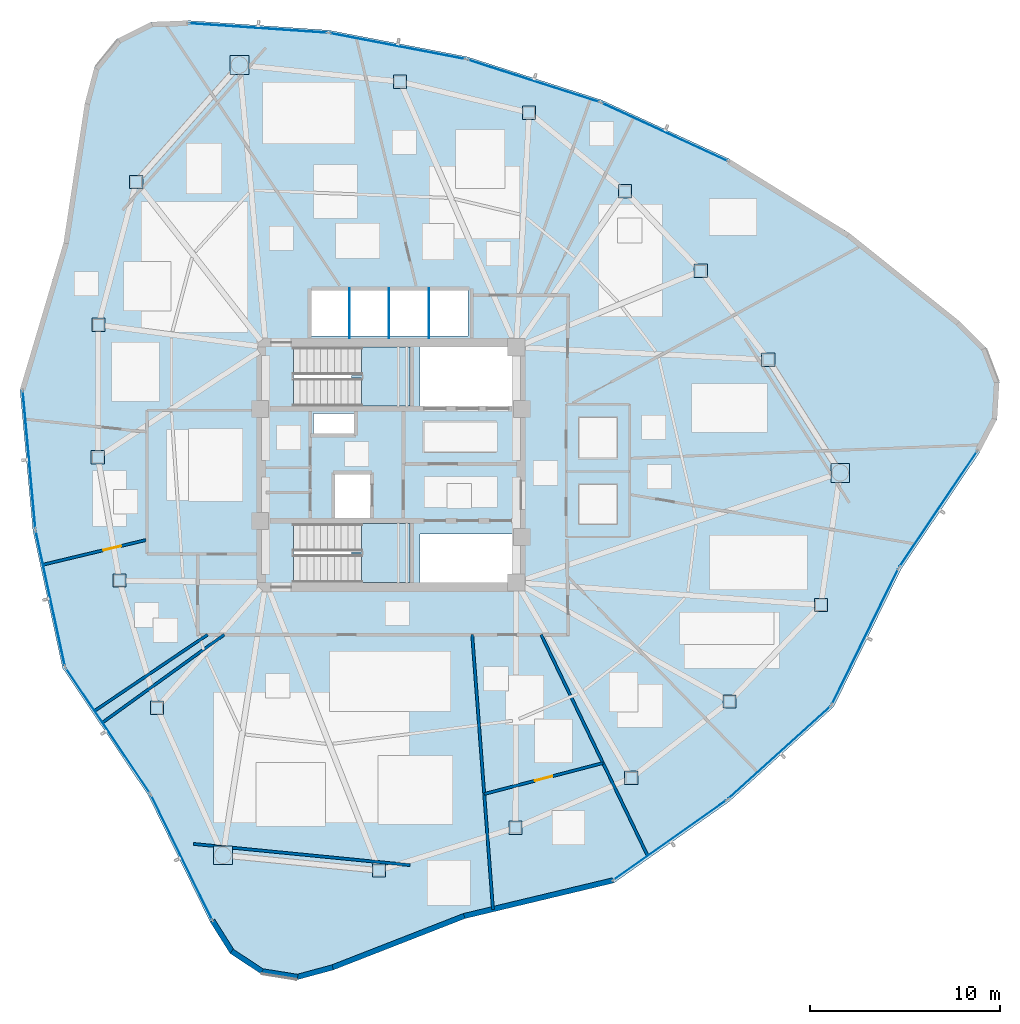
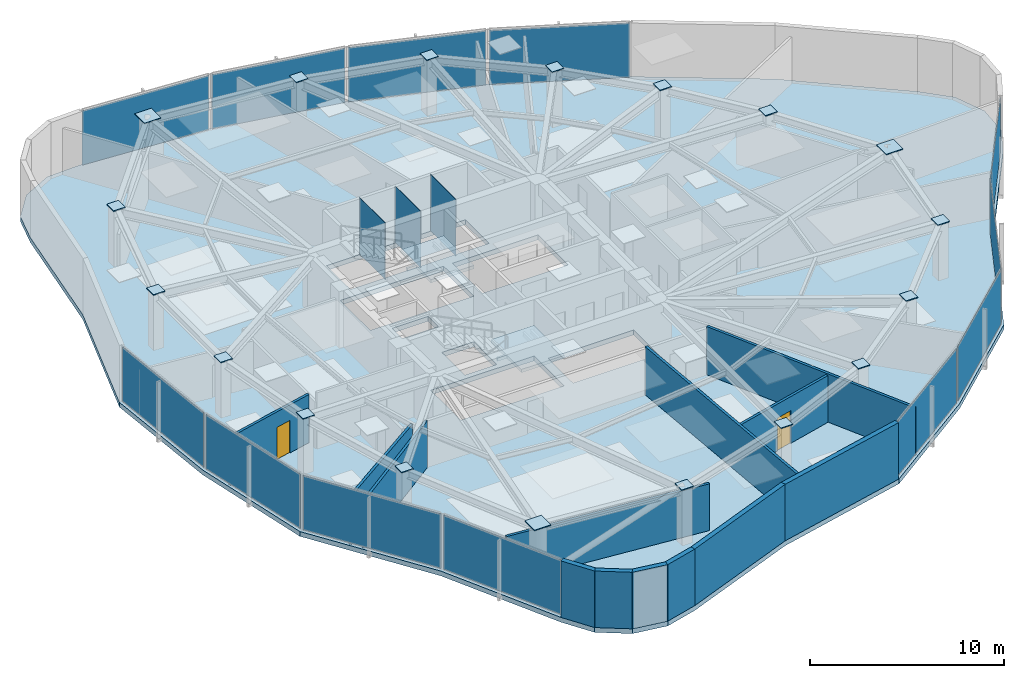
# One storey, part 10 of 17: 33 plates, 13 walls, 3 slabs, 2 doors, 2 openings, 14 elements without a shape of their own.
"""IFC4 building model written with IfcOpenShell, lengths in metres."""

from ifc_helpers import new_model, si_unit, direction, frame, frame_2d, origin, origin_2d, place, context, subcontext, project, spatial, polyline, rectangle, outline, extrude, source, transform, mapped, material, layer, layer_set, type_object, type_shapes, element, fill, aggregate, save


model = new_model("IFC4")

# Units and contexts
model_context = context("Model", 3, precision=1e-05, world=origin(), true_north=direction((0.0, 1.0)))
body_context = subcontext(model_context, "Body", "Model", "MODEL_VIEW")
ifc_project = project(units=[si_unit("LENGTHUNIT", "METRE"), si_unit("AREAUNIT", "SQUARE_METRE"), si_unit("VOLUMEUNIT", "CUBIC_METRE"), si_unit("PLANEANGLEUNIT", "RADIAN"), si_unit("MASSUNIT", "GRAM", prefix="KILO")], contexts=[model_context])

# Site, building, storey
site_placement = place(None, origin())
site = spatial("IfcSite", under=ifc_project, at=site_placement, CompositionType="ELEMENT")
building_placement = place(site_placement, origin())
building = spatial("IfcBuilding", under=site, at=building_placement, Name="Tavelor Broadcast Tower", CompositionType="ELEMENT")
storey_placement = place(building_placement, frame((0.0, 0.0, 196.449951171875)))
storey = spatial("IfcBuildingStorey", under=building, at=storey_placement, Name="L47", CompositionType="ELEMENT", Elevation=196.449951171875)

# Stair, slab
ifc_material_1 = material(Name="Concrete C40/50", Category="concrete")
stair_type = type_object("IfcStairType", Name="Reinforced Concrete Protected Dogleg Stair 1450 mm", PredefinedType="HALF_TURN_STAIR", material=ifc_material_1)
stair_1_placement = place(storey_placement, origin())
stair_1 = element("IfcStair", 1, at=stair_1_placement, inside=storey, type_object=stair_type, Name="L47 Protected Core Exit Stair ST1", PredefinedType="HALF_TURN_STAIR")
ifc_layer_1 = layer(ifc_material_1, 0.199951171875)
ifc_layer_set_1 = layer_set([ifc_layer_1], Name="Concrete C40/50")
slab_type_1 = type_object("IfcSlabType", Name="Reinforced Concrete Stair Half-Landing Slab 200 mm", PredefinedType="LANDING", material=ifc_layer_set_1)
slab_1_placement = place(storey_placement, frame((0.0, 0.0, 1.72509765625)))
slab_1 = element("IfcSlab", 2, at=slab_1_placement, type_object=slab_type_1, Name="ST1 landing 1", PredefinedType="LANDING", context=body_context, shape_type="SweptSolid", body=[
    extrude(outline(polyline([(48.445068359375, 49.590087890625), (48.445068359375, 48.094970703125), (51.0048828125, 48.094970703125), (51.0048828125, 51.205078125), (48.445068359375, 51.205078125), (48.445068359375, 49.7099609375), (47.905029296875, 49.7099609375), (47.905029296875, 49.590087890625), (48.445068359375, 49.590087890625)])), origin(), (0.0, 0.0, 1.0), 0.199951171875),
])
aggregate(stair_1, [slab_1])

stair_2_placement = place(storey_placement, origin())
stair_2 = element("IfcStair", 3, at=stair_2_placement, inside=storey, type_object=stair_type, Name="L47 Protected Core Exit Stair ST2", PredefinedType="HALF_TURN_STAIR")
slab_2_placement = place(storey_placement, frame((0.0, 0.0, 1.72509765625)))
slab_2 = element("IfcSlab", 4, at=slab_2_placement, type_object=slab_type_1, Name="ST2 landing 1", PredefinedType="LANDING", context=body_context, shape_type="SweptSolid", body=[
    extrude(outline(polyline([(48.445068359375, 40.2900390625), (48.445068359375, 38.794921875), (51.0048828125, 38.794921875), (51.0048828125, 41.905029296875), (48.445068359375, 41.905029296875), (48.445068359375, 40.409912109375), (47.905029296875, 40.409912109375), (47.905029296875, 40.2900390625), (48.445068359375, 40.2900390625)])), origin(), (0.0, 0.0, 1.0), 0.199951171875),
])
aggregate(stair_2, [slab_2])

# Slab
ifc_layer_2 = layer(ifc_material_1, 0.300048828125)
ifc_layer_set_2 = layer_set([ifc_layer_2], Name="Concrete C40/50")
slab_type_2 = type_object("IfcSlabType", Name="Tower Composite Floor Slab 300 mm", PredefinedType="FLOOR", material=ifc_layer_set_2)
slab_3_placement = place(storey_placement, frame((0.0, 0.0, -0.300048828125)))
element("IfcSlab", 5, at=slab_3_placement, inside=storey, type_object=slab_type_2, Name="L47 Structural Floor Slab", PredefinedType="FLOOR", context=body_context, shape_type="SweptSolid", body=[
    extrude(outline(polyline([(39.296630859375, 68.421875), (37.344482421875, 68.34521484375), (35.5966796875, 67.4716796875), (34.36328125, 65.956787109375), (33.862548828125, 64.068115234375), (32.740478515625, 56.716552734375), (30.44091796875, 48.965576171875), (31.117919921875, 41.559814453125), (32.686279296875, 34.290283203125), (37.198974609375, 27.581787109375), (40.4677734375, 20.902099609375), (41.51025390625, 19.249755859375), (43.140380859375, 18.1728515625), (45.0693359375, 17.862060546875), (46.955322265625, 18.372802734375), (53.8828125, 21.076904296875), (61.745361328125, 22.960693359375), (67.8203125, 27.25), (73.33154296875, 32.2431640625), (76.88525390625, 39.50537109375), (81.035400390625, 45.676025390625), (81.9453125, 47.4052734375), (82.062744140625, 49.35546875), (81.367431640625, 51.18115234375), (79.982421875, 52.55908203125), (74.176513671875, 57.20654296875), (67.85107421875, 61.1171875), (61.098876953125, 64.2333984375), (54.01904296875, 66.510009765625), (46.716064453125, 67.912841796875), (39.296630859375, 68.421875)]), holes=[polyline([(56.60009765625, 41.35009765625), (56.60009765625, 38.800048828125), (51.52001953125, 38.800048828125), (51.52001953125, 41.35009765625), (56.60009765625, 41.35009765625)]), polyline([(50.99609375, 38.803955078125), (44.85400390625, 38.803955078125), (44.85400390625, 41.89599609375), (50.99609375, 41.89599609375), (50.99609375, 38.803955078125)]), polyline([(47.050048828125, 42.199951171875), (47.050048828125, 44.550048828125), (48.949951171875, 44.550048828125), (48.949951171875, 42.199951171875), (47.050048828125, 42.199951171875)]), polyline([(48.050048828125, 46.64990234375), (45.89990234375, 46.64990234375), (45.89990234375, 47.699951171875), (48.050048828125, 47.699951171875), (48.050048828125, 46.64990234375)]), polyline([(50.99609375, 48.10400390625), (44.85400390625, 48.10400390625), (44.85400390625, 51.196044921875), (50.99609375, 51.196044921875), (50.99609375, 48.10400390625)]), polyline([(56.60009765625, 48.10009765625), (51.52001953125, 48.10009765625), (51.52001953125, 51.199951171875), (56.60009765625, 51.199951171875), (56.60009765625, 48.10009765625)]), polyline([(54.050048828125, 51.800048828125), (45.800048828125, 51.800048828125), (45.800048828125, 54.25), (54.050048828125, 54.25), (54.050048828125, 51.800048828125)])]), origin(), (0.0, 0.0, 1.0), 0.300048828125),
])

# Plates
ifc_material_2 = material(Name="Steel S460", Category="steel")
ifc_layer_3 = layer(ifc_material_2, 0.050048828125)
ifc_layer_set_3 = layer_set([ifc_layer_3], Name="Steel S460")
plate_type_1 = type_object("IfcPlateType", Name="Tube Hollow-End Cap Plate KN05 700x700x50", PredefinedType="USERDEFINED", material=ifc_layer_set_3)
shared_shape_1 = source(origin(), body_context, "Body", "SweptSolid", [
    extrude(rectangle(XDim=0.699951171875, YDim=0.699951171875, at=origin_2d()), origin(), (0.0, 0.0, 1.0), 0.054931640625),
])
for number, where, z_axis, x_axis, name in (
    (6, (36.567626953125, 59.91064453125, 3.5224609375), (0.0, 0.0, 1.0), (1.0, 0.0, 0.0), "L47 Hollow End Cap Plate KN05 #1342"),
    (7, (34.5751953125, 52.37939453125, 3.5224609375), (0.0, 0.0, 1.0), (1.0, 0.0, 0.0), "L47 Hollow End Cap Plate KN05 #1343"),
    (8, (34.54638671875, 45.399169921875, 3.5224609375), (0.0, 0.0, 1.0), (1.0, 0.0, 0.0), "L47 Hollow End Cap Plate KN05 #1344"),
    (9, (35.680908203125, 38.89990234375, 3.5224609375), (0.0, 0.0, 1.0), (1.0, 0.0, 0.0), "L47 Hollow End Cap Plate KN05 #1345"),
    (10, (37.668212890625, 32.1904296875, 3.5224609375), (0.0, 0.0, 1.0), (1.0, 0.0, 0.0), "L47 Hollow End Cap Plate KN05 #1346"),
    (11, (49.366455078125, 23.618896484375, 3.5224609375), (0.0, 0.0, 1.0), (1.0, 0.0, 0.0), "L47 Hollow End Cap Plate KN05 #1348"),
    (12, (56.56103515625, 25.872802734375, 3.5224609375), (0.0, 0.0, 1.0), (1.0, 0.0, 0.0), "L47 Hollow End Cap Plate KN05 #1349"),
    (13, (62.669189453125, 28.503173828125, 3.5224609375), (0.0, 0.0, 1.0), (1.0, 0.0, 0.0), "L47 Hollow End Cap Plate KN05 #1350"),
    (14, (67.84228515625, 32.53173828125, 3.5224609375), (0.0, 0.0, 1.0), (1.0, 0.0, 0.0), "L47 Hollow End Cap Plate KN05 #1351"),
    (15, (72.6591796875, 37.607421875, 3.5224609375), (0.0, 0.0, 1.0), (1.0, 0.0, 0.0), "L47 Hollow End Cap Plate KN05 #1352"),
    (16, (69.885986328125, 50.544189453125, 3.5224609375), (0.0, 0.0, 1.0), (1.0, 0.0, 0.0), "L47 Hollow End Cap Plate KN05 #1354"),
    (17, (66.322021484375, 55.228759765625, 3.5224609375), (0.0, 0.0, 1.0), (1.0, 0.0, 0.0), "L47 Hollow End Cap Plate KN05 #1355"),
    (18, (62.330810546875, 59.416259765625, 3.5224609375), (0.0, 0.0, 1.0), (1.0, 0.0, 0.0), "L47 Hollow End Cap Plate KN05 #1356"),
    (19, (57.276611328125, 63.568359375, 3.5224609375), (0.0, 0.0, 1.0), (1.0, 0.0, 0.0), "L47 Hollow End Cap Plate KN05 #1357"),
    (20, (50.472412109375, 65.2021484375, 3.5224609375), (0.0, 0.0, 1.0), (1.0, 0.0, 0.0), "L47 Hollow End Cap Plate KN05 #1358"),
):
    element("IfcPlate", number, at=place(storey_placement, frame(where, z_axis=z_axis, x_axis=x_axis)), inside=storey, type_object=plate_type_1, Name=name, ObjectType="CAP PLATE", PredefinedType="USERDEFINED", context=body_context, shape_type="MappedRepresentation", body=[
        mapped(shared_shape_1, transform((0.0, 0.0, 0.0), scale=1.0)),
    ])
shared_shape_2 = source(origin(), body_context, "Body", "SweptSolid", [
    extrude(rectangle(XDim=0.993896484375, YDim=0.993896484375, at=origin_2d()), origin(), (0.0, 0.0, 1.0), 0.054931640625),
])
type_shapes(plate_type_1, [shared_shape_1, shared_shape_2])
for number, where, z_axis, x_axis, name in (
    (21, (42.01123046875, 66.080078125, 3.5224609375), (0.0, 0.0, 1.0), (1.0, 0.0, 0.0), "L47 Hollow End Cap Plate KN05 #1341"),
    (22, (41.138671875, 24.423828125, 3.5224609375), (0.0, 0.0, 1.0), (1.0, 0.0, 0.0), "L47 Hollow End Cap Plate KN05 #1347"),
    (23, (73.676025390625, 44.57958984375, 3.5224609375), (0.0, 0.0, 1.0), (1.0, 0.0, 0.0), "L47 Hollow End Cap Plate KN05 #1353"),
):
    element("IfcPlate", number, at=place(storey_placement, frame(where, z_axis=z_axis, x_axis=x_axis)), inside=storey, type_object=plate_type_1, Name=name, ObjectType="CAP PLATE", PredefinedType="USERDEFINED", context=body_context, shape_type="MappedRepresentation", body=[
        mapped(shared_shape_2, transform((0.0, 0.0, 0.0), scale=1.0)),
    ])
ifc_material_3 = material(Name="Steel S355", Category="steel")
ifc_layer_4 = layer(ifc_material_3, 0.011962890625)
ifc_layer_set_4 = layer_set([ifc_layer_4], Name="Steel S355")
plate_type_2 = type_object("IfcPlateType", Name="Hoistway Steel Separator Screen 12 mm", PredefinedType="SHEET", material=ifc_layer_set_4)
shared_shape_3 = source(origin(), body_context, "Body", "SweptSolid", [
    extrude(rectangle(XDim=0.02001953125, YDim=2.6201171875, at=origin_2d()), origin(), (0.0, 0.0, 1.0), 3.550048828125),
])
type_shapes(plate_type_2, [shared_shape_3])
for number, where, z_axis, x_axis, name in (
    (24, (47.800048828125, 52.989990234375, 0.0), (0.0, 0.0, 1.0), (1.0, 0.0, 0.0), "L47 High-Rise Hoistway Separator Screen 1"),
    (25, (49.89990234375, 52.989990234375, 0.0), (0.0, 0.0, 1.0), (1.0, 0.0, 0.0), "L47 High-Rise Hoistway Separator Screen 2"),
    (26, (52.0, 52.989990234375, 0.0), (0.0, 0.0, 1.0), (1.0, 0.0, 0.0), "L47 High-Rise Hoistway Separator Screen 3"),
):
    element("IfcPlate", number, at=place(storey_placement, frame(where, z_axis=z_axis, x_axis=x_axis)), inside=storey, type_object=plate_type_2, Name=name, PredefinedType="SHEET", context=body_context, shape_type="MappedRepresentation", body=[
        mapped(shared_shape_3, transform((0.0, 0.0, 0.0), scale=1.0)),
    ])

# Curtain wall, plate
ifc_material_4 = material(Name="Architectural Anodized Aluminium", Category="aluminium")
ifc_layer_5 = layer(ifc_material_4, 0.18994140625)
ifc_layer_set_5 = layer_set([ifc_layer_5], Name="Architectural Anodized Aluminium")
curtain_wall_type = type_object("IfcCurtainWallType", Name="Tower Mid-Zone Acoustic Curtain Wall CW03", PredefinedType="NOTDEFINED", material=ifc_layer_set_5)
curtain_wall_1_placement = place(storey_placement, origin())
curtain_wall_1 = element("IfcCurtainWall", 27, at=curtain_wall_1_placement, inside=storey, type_object=curtain_wall_type, Name="L47 Curtain Wall CW03 Run 505", PredefinedType="NOTDEFINED")
ifc_material_5 = material(Name="Solar Control Double Glazing 30 mm", Category="glass")
ifc_layer_6 = layer(ifc_material_5, 0.030029296875)
ifc_layer_set_6 = layer_set([ifc_layer_6], Name="Solar Control Double Glazing 30 mm")
plate_type_3 = type_object("IfcPlateType", Name="CW03 Insulated Vision Glazing Panel 30 mm", PredefinedType="CURTAIN_PANEL", material=ifc_layer_set_6)
shared_shape_4 = source(origin(), body_context, "Body", "SweptSolid", [
    extrude(rectangle(XDim=7.250244140625, YDim=0.030029296875, at=origin_2d()), origin(), (0.0, 0.0, 1.0), 3.4140625),
])
plate_1_placement = place(storey_placement, frame((30.9189453125, 45.273681640625, 0.068115234375), z_axis=(0.0, 0.0, 1.0), x_axis=(0.091060631693, -0.99584535012, 0.0)))
plate_1 = element("IfcPlate", 28, at=plate_1_placement, type_object=plate_type_3, Name="CW03 panel 1.1", PredefinedType="CURTAIN_PANEL", context=body_context, shape_type="MappedRepresentation", body=[
    mapped(shared_shape_4, transform((0.0, 0.0, 0.0), scale=1.0)),
])
aggregate(curtain_wall_1, [plate_1])

curtain_wall_2_placement = place(storey_placement, origin())
curtain_wall_2 = element("IfcCurtainWall", 29, at=curtain_wall_2_placement, inside=storey, type_object=curtain_wall_type, Name="L47 Curtain Wall CW03 Run 509", PredefinedType="NOTDEFINED")
plate_2_placement = place(storey_placement, frame((64.703369140625, 25.220703125, 0.068115234375), z_axis=(0.0, 0.0, 1.0), x_axis=(0.816905574685, 0.576771429639, 0.0)))
plate_2 = element("IfcPlate", 30, at=plate_2_placement, type_object=plate_type_3, Name="CW03 panel 1.1", PredefinedType="CURTAIN_PANEL", context=body_context, shape_type="MappedRepresentation", body=[
    mapped(shared_shape_4, transform((0.0, 0.0, 0.0), scale=1.0)),
])
aggregate(curtain_wall_2, [plate_2])

curtain_wall_3_placement = place(storey_placement, origin())
curtain_wall_3 = element("IfcCurtainWall", 31, at=curtain_wall_3_placement, inside=storey, type_object=curtain_wall_type, Name="L47 Curtain Wall CW03 Run 506", PredefinedType="NOTDEFINED")
shared_shape_5 = source(origin(), body_context, "Body", "SweptSolid", [
    extrude(rectangle(XDim=7.2353515625, YDim=0.030029296875, at=origin_2d()), origin(), (0.0, 0.0, 1.0), 3.4140625),
])
plate_3_placement = place(storey_placement, frame((32.037109375, 37.963623046875, 0.068115234375), z_axis=(0.0, 0.0, 1.0), x_axis=(0.210896332067, -0.977508433273, 0.0)))
plate_3 = element("IfcPlate", 32, at=plate_3_placement, type_object=plate_type_3, Name="CW03 panel 1.1", PredefinedType="CURTAIN_PANEL", context=body_context, shape_type="MappedRepresentation", body=[
    mapped(shared_shape_5, transform((0.0, 0.0, 0.0), scale=1.0)),
])
aggregate(curtain_wall_3, [plate_3])

curtain_wall_4_placement = place(storey_placement, origin())
curtain_wall_4 = element("IfcCurtainWall", 33, at=curtain_wall_4_placement, inside=storey, type_object=curtain_wall_type, Name="L47 Curtain Wall CW03 Run 510", PredefinedType="NOTDEFINED")
plate_4_placement = place(storey_placement, frame((70.47509765625, 29.84423828125, 0.068115234375), z_axis=(0.0, 0.0, 1.0), x_axis=(0.741098531784, 0.671396281035, 0.0)))
plate_4 = element("IfcPlate", 34, at=plate_4_placement, type_object=plate_type_3, Name="CW03 panel 1.1", PredefinedType="CURTAIN_PANEL", context=body_context, shape_type="MappedRepresentation", body=[
    mapped(shared_shape_5, transform((0.0, 0.0, 0.0), scale=1.0)),
])
aggregate(curtain_wall_4, [plate_4])

curtain_wall_5_placement = place(storey_placement, origin())
curtain_wall_5 = element("IfcCurtainWall", 35, at=curtain_wall_5_placement, inside=storey, type_object=curtain_wall_type, Name="L47 Curtain Wall CW03 Run 507", PredefinedType="NOTDEFINED")
shared_shape_6 = source(origin(), body_context, "Body", "SweptSolid", [
    extrude(rectangle(XDim=7.901611328125, YDim=0.030029296875, at=origin_2d()), origin(), (0.0, 0.0, 1.0), 3.4140625),
])
plate_5_placement = place(storey_placement, frame((35.069091796875, 30.9990234375, 0.068115234375), z_axis=(0.0, 0.0, 1.0), x_axis=(0.558132152889, -0.829752071351, 0.0)))
plate_5 = element("IfcPlate", 36, at=plate_5_placement, type_object=plate_type_3, Name="CW03 panel 1.1", PredefinedType="CURTAIN_PANEL", context=body_context, shape_type="MappedRepresentation", body=[
    mapped(shared_shape_6, transform((0.0, 0.0, 0.0), scale=1.0)),
])
aggregate(curtain_wall_5, [plate_5])

curtain_wall_6_placement = place(storey_placement, origin())
curtain_wall_6 = element("IfcCurtainWall", 37, at=curtain_wall_6_placement, inside=storey, type_object=curtain_wall_type, Name="L47 Curtain Wall CW03 Run 511", PredefinedType="NOTDEFINED")
plate_6_placement = place(storey_placement, frame((74.99072265625, 35.9521484375, 0.068115234375), z_axis=(0.0, 0.0, 1.0), x_axis=(0.439528303729, 0.898228740478, 0.0)))
plate_6 = element("IfcPlate", 38, at=plate_6_placement, type_object=plate_type_3, Name="CW03 panel 1.1", PredefinedType="CURTAIN_PANEL", context=body_context, shape_type="MappedRepresentation", body=[
    mapped(shared_shape_6, transform((0.0, 0.0, 0.0), scale=1.0)),
])
aggregate(curtain_wall_6, [plate_6])

curtain_wall_7_placement = place(storey_placement, origin())
curtain_wall_7 = element("IfcCurtainWall", 39, at=curtain_wall_7_placement, inside=storey, type_object=curtain_wall_type, Name="L47 Curtain Wall CW03 Run 508", PredefinedType="NOTDEFINED")
shared_shape_7 = source(origin(), body_context, "Body", "SweptSolid", [
    extrude(rectangle(XDim=7.287841796875, YDim=0.030029296875, at=origin_2d()), origin(), (0.0, 0.0, 1.0), 3.4140625),
])
plate_7_placement = place(storey_placement, frame((38.95849609375, 24.304443359375, 0.068115234375), z_axis=(0.0, 0.0, 1.0), x_axis=(0.439562344322, -0.89821208267, 0.0)))
plate_7 = element("IfcPlate", 40, at=plate_7_placement, type_object=plate_type_3, Name="CW03 panel 1.1", PredefinedType="CURTAIN_PANEL", context=body_context, shape_type="MappedRepresentation", body=[
    mapped(shared_shape_7, transform((0.0, 0.0, 0.0), scale=1.0)),
])
aggregate(curtain_wall_7, [plate_7])

curtain_wall_8_placement = place(storey_placement, origin())
curtain_wall_8 = element("IfcCurtainWall", 41, at=curtain_wall_8_placement, inside=storey, type_object=curtain_wall_type, Name="L47 Curtain Wall CW03 Run 512", PredefinedType="NOTDEFINED")
plate_8_placement = place(storey_placement, frame((78.843505859375, 42.66796875, 0.068115234375), z_axis=(0.0, 0.0, 1.0), x_axis=(0.5580869894, 0.829782448755, 0.0)))
plate_8 = element("IfcPlate", 42, at=plate_8_placement, type_object=plate_type_3, Name="CW03 panel 1.1", PredefinedType="CURTAIN_PANEL", context=body_context, shape_type="MappedRepresentation", body=[
    mapped(shared_shape_7, transform((0.0, 0.0, 0.0), scale=1.0)),
])
aggregate(curtain_wall_8, [plate_8])

curtain_wall_9_placement = place(storey_placement, origin())
curtain_wall_9 = element("IfcCurtainWall", 43, at=curtain_wall_9_placement, inside=storey, type_object=curtain_wall_type, Name="L47 Curtain Wall CW03 Run 513", PredefinedType="NOTDEFINED")
shared_shape_8 = source(origin(), body_context, "Body", "SweptSolid", [
    extrude(rectangle(XDim=7.268798828125, YDim=0.030029296875, at=origin_2d()), origin(), (0.0, 0.0, 1.0), 3.4140625),
])
plate_9_placement = place(storey_placement, frame((64.423095703125, 62.544921875, 0.068115234375), z_axis=(0.0, 0.0, 1.0), x_axis=(-0.907960175025, 0.419056464654, 0.0)))
plate_9 = element("IfcPlate", 44, at=plate_9_placement, type_object=plate_type_3, Name="CW03 panel 1.1", PredefinedType="CURTAIN_PANEL", context=body_context, shape_type="MappedRepresentation", body=[
    mapped(shared_shape_8, transform((0.0, 0.0, 0.0), scale=1.0)),
])
aggregate(curtain_wall_9, [plate_9])

curtain_wall_10_placement = place(storey_placement, origin())
curtain_wall_10 = element("IfcCurtainWall", 45, at=curtain_wall_10_placement, inside=storey, type_object=curtain_wall_type, Name="L47 Curtain Wall CW03 Run 514", PredefinedType="NOTDEFINED")
shared_shape_9 = source(origin(), body_context, "Body", "SweptSolid", [
    extrude(rectangle(XDim=7.253662109375, YDim=0.030029296875, at=origin_2d()), origin(), (0.0, 0.0, 1.0), 3.4140625),
])
plate_10_placement = place(storey_placement, frame((57.51611328125, 65.238525390625, 0.068115234375), z_axis=(0.0, 0.0, 1.0), x_axis=(-0.951995045614, 0.306113431797, 0.0)))
plate_10 = element("IfcPlate", 46, at=plate_10_placement, type_object=plate_type_3, Name="CW03 panel 1.1", PredefinedType="CURTAIN_PANEL", context=body_context, shape_type="MappedRepresentation", body=[
    mapped(shared_shape_9, transform((0.0, 0.0, 0.0), scale=1.0)),
])
aggregate(curtain_wall_10, [plate_10])

curtain_wall_11_placement = place(storey_placement, origin())
curtain_wall_11 = element("IfcCurtainWall", 47, at=curtain_wall_11_placement, inside=storey, type_object=curtain_wall_type, Name="L47 Curtain Wall CW03 Run 515", PredefinedType="NOTDEFINED")
plate_11_placement = place(storey_placement, frame((50.341064453125, 67.073974609375, 0.068115234375), z_axis=(0.0, 0.0, 1.0), x_axis=(-0.982043010818, 0.188657162345, 0.0)))
plate_11 = element("IfcPlate", 48, at=plate_11_placement, type_object=plate_type_3, Name="CW03 panel 1.1", PredefinedType="CURTAIN_PANEL", context=body_context, shape_type="MappedRepresentation", body=[
    mapped(shared_shape_9, transform((0.0, 0.0, 0.0), scale=1.0)),
])
aggregate(curtain_wall_11, [plate_11])

curtain_wall_12_placement = place(storey_placement, origin())
curtain_wall_12 = element("IfcCurtainWall", 49, at=curtain_wall_12_placement, inside=storey, type_object=curtain_wall_type, Name="L47 Curtain Wall CW03 Run 516", PredefinedType="NOTDEFINED")
shared_shape_10 = source(origin(), body_context, "Body", "SweptSolid", [
    extrude(rectangle(XDim=7.269775390625, YDim=0.030029296875, at=origin_2d()), origin(), (0.0, 0.0, 1.0), 3.4140625),
])
type_shapes(plate_type_3, [shared_shape_4, shared_shape_5, shared_shape_6, shared_shape_7, shared_shape_8, shared_shape_9, shared_shape_10])
plate_12_placement = place(storey_placement, frame((42.98876953125, 68.0283203125, 0.068115234375), z_axis=(0.0, 0.0, 1.0), x_axis=(-0.99765563696, 0.068434129214, 0.0)))
plate_12 = element("IfcPlate", 50, at=plate_12_placement, type_object=plate_type_3, Name="CW03 panel 1.1", PredefinedType="CURTAIN_PANEL", context=body_context, shape_type="MappedRepresentation", body=[
    mapped(shared_shape_10, transform((0.0, 0.0, 0.0), scale=1.0)),
])
aggregate(curtain_wall_12, [plate_12])

# Walls
ifc_material_6 = material(Name="Precast Concrete C40/50", Category="concrete")
ifc_layer_7 = layer(ifc_material_6, 0.280029296875)
ifc_layer_set_7 = layer_set([ifc_layer_7], Name="Precast Concrete C40/50")
wall_type_1 = type_object("IfcWallType", Name="Insulated Precast Terracotta Facade Wall 280 mm", PredefinedType="STANDARD", material=ifc_layer_set_7)
wall_1_placement = place(storey_placement, frame((40.588134765625, 20.973876953125, 0.0), z_axis=(0.0, 0.0, 1.0), x_axis=(0.53353248907, -0.845779571228, 0.0)))
element("IfcWall", 51, at=wall_1_placement, inside=storey, type_object=wall_type_1, Name="L47 Rounded Corner Structural Cladding Pier 11", PredefinedType="STANDARD", context=body_context, shape_type="SweptSolid", body=[
    extrude(rectangle(XDim=1.93505859375, YDim=0.280029296875, at=frame_2d((0.967529296875, 0.0))), origin(), (0.0, 0.0, 1.0), 3.550048828125),
])
for number, where, z_axis, x_axis, name in (
    (52, (41.60009765625, 19.358154296875, 0.0), (0.0, 0.0, 1.0), (0.834424962244, -0.5511215677, 0.0), "L47 Rounded Corner Structural Cladding Pier 12"),
    (53, (43.177734375, 18.30859375, 0.0), (0.0, 0.0, 1.0), (0.987271355275, -0.159044871196, 0.0), "L47 Rounded Corner Structural Cladding Pier 13"),
):
    element("IfcWall", number, at=place(storey_placement, frame(where, z_axis=z_axis, x_axis=x_axis)), inside=storey, type_object=wall_type_1, Name=name, PredefinedType="STANDARD", context=body_context, shape_type="SweptSolid", body=[
        extrude(rectangle(XDim=1.92333984375, YDim=0.280029296875, at=frame_2d((0.961669921875, 0.0))), origin(), (0.0, 0.0, 1.0), 3.550048828125),
    ])
wall_2_placement = place(storey_placement, frame((45.04736328125, 18.001220703125, 0.0), z_axis=(0.0, 0.0, 1.0), x_axis=(0.965251428064, 0.261322943158, 0.0)))
element("IfcWall", 54, at=wall_2_placement, inside=storey, type_object=wall_type_1, Name="L47 Rounded Corner Structural Cladding Pier 14", PredefinedType="STANDARD", context=body_context, shape_type="SweptSolid", body=[
    extrude(rectangle(XDim=1.946044921875, YDim=0.280029296875, at=frame_2d((0.97314453125, 0.0))), origin(), (0.0, 0.0, 1.0), 3.550048828125),
])
wall_3_placement = place(storey_placement, frame((46.8974609375, 18.50048828125, 0.0), z_axis=(0.0, 0.0, 1.0), x_axis=(0.931546294826, 0.363622744882, 0.0)))
element("IfcWall", 55, at=wall_3_placement, inside=storey, type_object=wall_type_1, Name="L47 Rounded Corner Structural Cladding Pier 15", PredefinedType="STANDARD", context=body_context, shape_type="SweptSolid", body=[
    extrude(rectangle(XDim=7.46875, YDim=0.280029296875, at=frame_2d((3.734375, 0.0))), origin(), (0.0, 0.0, 1.0), 3.550048828125),
])
wall_4_placement = place(storey_placement, frame((53.826416015625, 21.20751953125, 0.0), z_axis=(0.0, 0.0, 1.0), x_axis=(0.972480674373, 0.232983557298, 0.0)))
element("IfcWall", 56, at=wall_4_placement, inside=storey, type_object=wall_type_1, Name="L47 Rounded Corner Structural Cladding Pier 16", PredefinedType="STANDARD", context=body_context, shape_type="SweptSolid", body=[
    extrude(rectangle(XDim=8.086669921875, YDim=0.280029296875, at=frame_2d((4.04345703125, 0.0))), origin(), (0.0, 0.0, 1.0), 3.550048828125),
])
ifc_material_7 = material(Name="Gypsum Acoustic Plasterboard 150 mm", Category="gypsum")
ifc_layer_8 = layer(ifc_material_7, 0.14990234375)
ifc_layer_set_8 = layer_set([ifc_layer_8], Name="Gypsum Acoustic Plasterboard 150 mm")
wall_type_2 = type_object("IfcWallType", Name="Interior Acoustic Partition Wall 150 mm", PredefinedType="PARTITIONING", material=ifc_layer_set_8)
wall_5_placement = place(storey_placement, frame((39.589111328125, 25.017578125, 0.0), z_axis=(0.0, 0.0, 1.0), x_axis=(0.99524905582, -0.097361783517, 0.0)))
element("IfcWall", 57, at=wall_5_placement, inside=storey, type_object=wall_type_2, Name="L47 Corner Tube Brace Furring Wall 2", PredefinedType="PARTITIONING", context=body_context, shape_type="SweptSolid", body=[
    extrude(rectangle(XDim=11.467041015625, YDim=0.14990234375, at=frame_2d((5.7333984375, 0.0))), origin(), (0.0, 0.0, 1.0), 2.93505859375),
])
wall_6_placement = place(storey_placement, frame((40.3310546875, 36.050048828125, 0.0), z_axis=(0.0, 0.0, 1.0), x_axis=(-0.82902603591, -0.559210006869, 0.0)))
element("IfcWall", 58, at=wall_6_placement, inside=storey, type_object=wall_type_2, Name="L47 Radial Compartment Wall 01", PredefinedType="PARTITIONING", context=body_context, shape_type="SweptSolid", body=[
    extrude(rectangle(XDim=7.1953125, YDim=0.14990234375, at=frame_2d((3.59765625, 0.0))), origin(), (0.0, 0.0, 1.0), 3.025146484375),
])
wall_7_placement = place(storey_placement, frame((41.207275390625, 36.050048828125, 0.0), z_axis=(0.0, 0.0, 1.0), x_axis=(-0.810698719586, -0.585463565102, 0.0)))
element("IfcWall", 59, at=wall_7_placement, inside=storey, type_object=wall_type_2, Name="L47 Radial Compartment Wall 02", PredefinedType="PARTITIONING", context=body_context, shape_type="SweptSolid", body=[
    extrude(rectangle(XDim=7.9267578125, YDim=0.14990234375, at=frame_2d((3.96337890625, 0.0))), origin(), (0.0, 0.0, 1.0), 2.93505859375),
])
wall_8_placement = place(storey_placement, frame((54.277099609375, 36.050048828125, 0.0), z_axis=(0.0, 0.0, 1.0), x_axis=(0.075441842774, -0.997150203509, 0.0)))
element("IfcWall", 60, at=wall_8_placement, inside=storey, type_object=wall_type_2, Name="L47 Radial Compartment Wall 03", PredefinedType="PARTITIONING", context=body_context, shape_type="SweptSolid", body=[
    extrude(rectangle(XDim=14.52392578125, YDim=0.14990234375, at=frame_2d((7.261962890625, 0.0))), origin(), (0.0, 0.0, 1.0), 3.025146484375),
])
wall_9_placement = place(storey_placement, frame((57.911865234375, 36.050048828125, 0.0), z_axis=(0.0, 0.0, 1.0), x_axis=(0.434030412816, -0.900898218863, 0.0)))
element("IfcWall", 61, at=wall_9_placement, inside=storey, type_object=wall_type_2, Name="L47 Radial Compartment Wall 04", PredefinedType="PARTITIONING", context=body_context, shape_type="SweptSolid", body=[
    extrude(rectangle(XDim=12.951416015625, YDim=0.14990234375, at=frame_2d((6.4755859375, 0.0))), origin(), (0.0, 0.0, 1.0), 3.025146484375),
])

# Wall, opening, door
wall_10_placement = place(storey_placement, frame((37.080078125, 41.037841796875, 0.0), z_axis=(0.0, 0.0, 1.0), x_axis=(-0.97241584234, -0.23325400225, 0.0)))
wall_10 = element("IfcWall", 62, at=wall_10_placement, inside=storey, type_object=wall_type_2, Name="L47 Radial Compartment Wall 14", PredefinedType="PARTITIONING", context=body_context, shape_type="SweptSolid", body=[
    extrude(rectangle(XDim=5.589111328125, YDim=0.14990234375, at=frame_2d((2.79443359375, 0.0))), origin(), (0.0, 0.0, 1.0), 3.025146484375),
])
opening_1_placement = place(wall_10_placement, frame((1.35009765625, 0.0, 0.0)))
opening_1 = element("IfcOpeningElement", 63, at=opening_1_placement, cuts=wall_10, Name="Opening DR18", PredefinedType="OPENING", context=body_context, shape_type="SweptSolid", body=[
    extrude(rectangle(XDim=0.949951171875, YDim=2.050048828125, at=frame_2d((0.47509765625, 1.02490234375))), frame((0.0, 0.0849609375, 0.0), z_axis=(0.0, -1.0, 0.0), x_axis=(1.0, 0.0, 0.0)), (0.0, 0.0, 1.0), 0.169921875),
])
ifc_material_8 = material(Name="Timber Solid Core Hardwood", Category="wood")
door_type_1 = type_object("IfcDoorType", Name="Corridor Rated Compartment Door 950x2050", OperationType="NOTDEFINED", PredefinedType="DOOR", material=ifc_material_8)
door_1_placement = place(opening_1_placement, origin())
door_1 = element("IfcDoor", 64, at=door_1_placement, inside=storey, type_object=door_type_1, Name="L47 Suite Connecting Door 6", OperationType="SINGLE_SWING_LEFT", OverallHeight=2.050048828125, OverallWidth=0.949951171875, PredefinedType="DOOR", context=body_context, shape_type="SweptSolid", body=[
    extrude(rectangle(XDim=0.949951171875, YDim=2.050048828125, at=frame_2d((0.47509765625, 1.02490234375))), frame((0.0, 0.02490234375, 0.0), z_axis=(0.0, -1.0, 0.0), x_axis=(1.0, 0.0, 0.0)), (0.0, 0.0, 1.0), 0.050048828125),
])
fill(opening_1, door_1)

wall_11_placement = place(storey_placement, frame((54.91259765625, 27.650146484375, 0.0), z_axis=(0.0, 0.0, 1.0), x_axis=(0.967630496968, 0.25237119752, 0.0)))
wall_11 = element("IfcWall", 65, at=wall_11_placement, inside=storey, type_object=wall_type_2, Name="L47 Suite Chord Partition Wall 01", PredefinedType="PARTITIONING", context=body_context, shape_type="SweptSolid", body=[
    extrude(rectangle(XDim=6.468994140625, YDim=0.14990234375, at=frame_2d((3.234375, 0.0))), origin(), (0.0, 0.0, 1.0), 2.93505859375),
])
opening_2_placement = place(wall_11_placement, frame((2.759521484375, 0.0, 0.0)))
opening_2 = element("IfcOpeningElement", 66, at=opening_2_placement, cuts=wall_11, Name="Opening DR23", PredefinedType="OPENING", context=body_context, shape_type="SweptSolid", body=[
    extrude(rectangle(XDim=0.949951171875, YDim=2.050048828125, at=frame_2d((0.47509765625, 1.02490234375))), frame((0.0, 0.0849609375, 0.0), z_axis=(0.0, -1.0, 0.0), x_axis=(1.0, 0.0, 0.0)), (0.0, 0.0, 1.0), 0.169921875),
])
door_type_2 = type_object("IfcDoorType", Name="Editorial Room Acoustic Door 950x2050", OperationType="NOTDEFINED", PredefinedType="DOOR", material=ifc_material_8)
door_2_placement = place(opening_2_placement, origin())
door_2 = element("IfcDoor", 67, at=door_2_placement, inside=storey, type_object=door_type_2, Name="L47 Outer Suite Partition Door 1", OperationType="SINGLE_SWING_RIGHT", OverallHeight=2.050048828125, OverallWidth=0.949951171875, PredefinedType="DOOR", context=body_context, shape_type="SweptSolid", body=[
    extrude(rectangle(XDim=0.949951171875, YDim=2.050048828125, at=frame_2d((0.47509765625, 1.02490234375))), frame((0.0, 0.02490234375, 0.0), z_axis=(0.0, -1.0, 0.0), x_axis=(1.0, 0.0, 0.0)), (0.0, 0.0, 1.0), 0.050048828125),
])
fill(opening_2, door_2)

save(model, "model.ifc")
